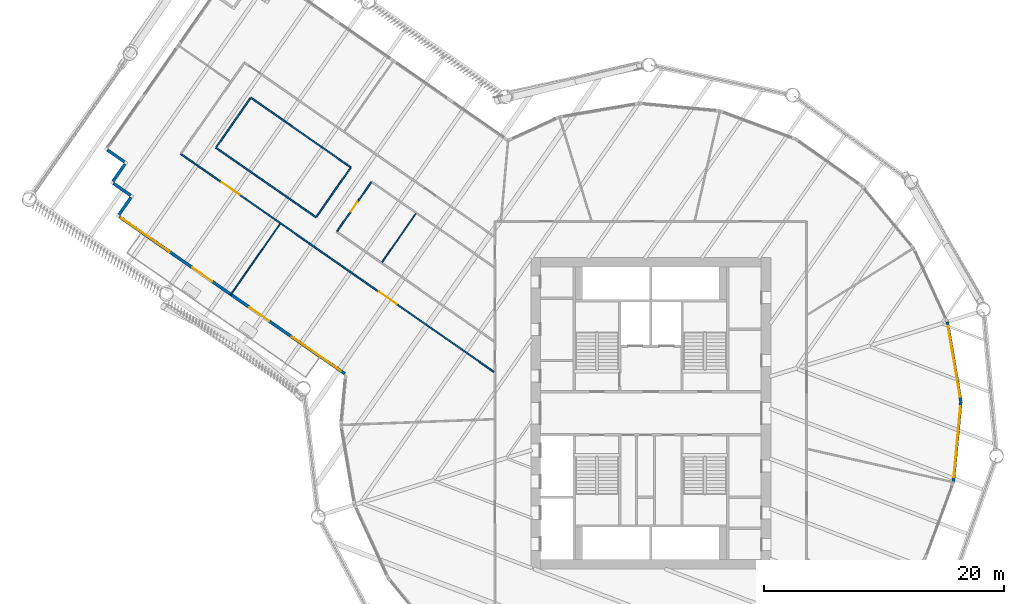
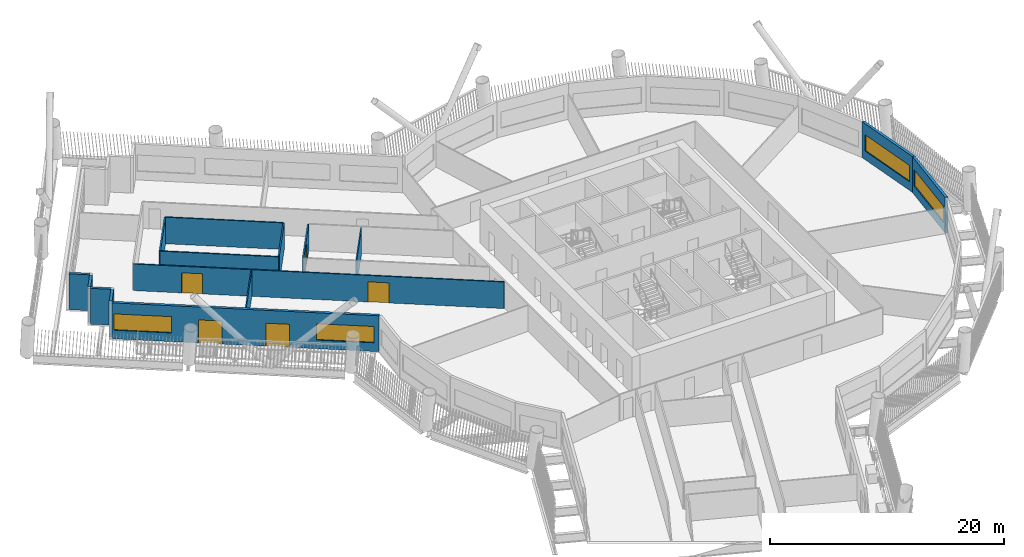
# One storey, part 6 of 23: 15 walls, 5 doors, 4 windows, 9 openings.
"""IFC4 building model written with IfcOpenShell, lengths in metres."""

from ifc_helpers import new_model, si_unit, direction, frame, frame_2d, origin, place, context, subcontext, project, spatial, rectangle, extrude, material, layer, layer_set, type_object, element, fill, save


model = new_model("IFC4")

# Units and contexts
model_context = context("Model", 3, precision=1e-05, world=origin(), true_north=direction((0.0, 1.0)))
body_context = subcontext(model_context, "Body", "Model", "MODEL_VIEW")
ifc_project = project(units=[si_unit("LENGTHUNIT", "METRE"), si_unit("AREAUNIT", "SQUARE_METRE"), si_unit("VOLUMEUNIT", "CUBIC_METRE"), si_unit("PLANEANGLEUNIT", "RADIAN"), si_unit("MASSUNIT", "GRAM", prefix="KILO")], contexts=[model_context])

# Site, building, storey
site_placement = place(None, origin())
site = spatial("IfcSite", under=ifc_project, at=site_placement, CompositionType="ELEMENT")
building_placement = place(site_placement, origin())
building = spatial("IfcBuilding", under=site, at=building_placement, Name="Tarsis Ring Headquarters", CompositionType="ELEMENT")
storey_placement = place(building_placement, frame((0.0, 0.0, 131.800048828125)))
storey = spatial("IfcBuildingStorey", under=building, at=storey_placement, Name="L30", CompositionType="ELEMENT", Elevation=131.800048828125)

# Walls
ifc_material_1 = material(Name="Gypsum board on steel studs", Category="steel")
ifc_layer_1 = layer(ifc_material_1, 0.10009765625)
ifc_layer_set_1 = layer_set([ifc_layer_1], Name="FL partition 100 unrated")
wall_type_1 = type_object("IfcWallType", Name="FL partition 100 unrated", PredefinedType="PARTITIONING", material=ifc_layer_set_1)
wall_1_placement = place(storey_placement, frame((-35.06884765625, 9.85009765625, 0.0), z_axis=(0.0, 0.0, 1.0), x_axis=(0.571280846267, 0.820754649507, 0.0)))
element("IfcWall", 1, at=wall_1_placement, inside=storey, type_object=wall_type_1, Name="Partition PW3", PredefinedType="PARTITIONING", context=body_context, shape_type="SweptSolid", body=[
    extrude(rectangle(XDim=7.23974609375, YDim=0.10009765625, at=frame_2d((3.619873046875, 0.0))), origin(), (0.0, 0.0, 1.0), 2.699951171875),
])
wall_2_placement = place(storey_placement, frame((-22.42236328125, 12.59765625, 0.0), z_axis=(0.0, 0.0, 1.0), x_axis=(0.571307728179, 0.820735937877, 0.0)))
element("IfcWall", 2, at=wall_2_placement, inside=storey, type_object=wall_type_1, Name="Partition PW3", PredefinedType="PARTITIONING", context=body_context, shape_type="SweptSolid", body=[
    extrude(rectangle(XDim=4.93994140625, YDim=0.10009765625, at=frame_2d((2.469970703125, 0.0))), origin(), (0.0, 0.0, 1.0), 2.699951171875),
])

# Wall, openings, doors
ifc_layer_2 = layer(ifc_material_1, 0.125)
ifc_layer_set_2 = layer_set([ifc_layer_2], Name="FL partition 125 EI 60 H2770")
wall_type_2 = type_object("IfcWallType", Name="FL partition 125 EI 60 H2770", PredefinedType="PARTITIONING", material=ifc_layer_set_2)
wall_3_placement = place(storey_placement, frame((-39.19873046875, 21.631103515625, 0.0), z_axis=(0.0, 0.0, 1.0), x_axis=(0.820750618412, -0.571286637667, 0.0)))
wall_3 = element("IfcWall", 3, at=wall_3_placement, inside=storey, type_object=wall_type_2, Name="Partition PW1", PredefinedType="PARTITIONING", context=body_context, shape_type="SweptSolid", body=[
    extrude(rectangle(XDim=31.810302734375, YDim=0.125, at=frame_2d((15.9052734375, 0.0))), origin(), (0.0, 0.0, 1.0), 2.77001953125),
])
opening_1_placement = place(wall_3_placement, frame((4.157958984375, 0.0, 0.0)))
opening_1 = element("IfcOpeningElement", 4, at=opening_1_placement, cuts=wall_3, Name="Opening D30.01", PredefinedType="OPENING", context=body_context, shape_type="SweptSolid", body=[
    extrude(rectangle(XDim=1.800048828125, YDim=2.10009765625, at=frame_2d((0.89990234375, 1.050048828125))), frame((0.0, 0.072509765625, 0.0), z_axis=(0.0, -1.0, 0.0), x_axis=(1.0, 0.0, 0.0)), (0.0, 0.0, 1.0), 0.14501953125),
])
opening_2_placement = place(wall_3_placement, frame((20.118408203125, 0.0, 0.0)))
opening_2 = element("IfcOpeningElement", 5, at=opening_2_placement, cuts=wall_3, Name="Opening D30.14", PredefinedType="OPENING", context=body_context, shape_type="SweptSolid", body=[
    extrude(rectangle(XDim=1.800048828125, YDim=2.10009765625, at=frame_2d((0.89990234375, 1.050048828125))), frame((0.0, 0.072509765625, 0.0), z_axis=(0.0, -1.0, 0.0), x_axis=(1.0, 0.0, 0.0)), (0.0, 0.0, 1.0), 0.14501953125),
])
ifc_material_2 = material(Name="Fire-rated timber door leaf in steel frame", Category="steel")
door_type_1 = type_object("IfcDoorType", Name="FL door FD60-1800", OperationType="DOUBLE_DOOR_SINGLE_SWING", PredefinedType="DOOR", material=ifc_material_2)
door_1_placement = place(opening_1_placement, origin())
door_1 = element("IfcDoor", 6, at=door_1_placement, inside=storey, type_object=door_type_1, Name="Door D30.01", OperationType="DOUBLE_DOOR_SINGLE_SWING", OverallHeight=2.10009765625, OverallWidth=1.800048828125, PredefinedType="DOOR", context=body_context, shape_type="SweptSolid", body=[
    extrude(rectangle(XDim=1.800048828125, YDim=2.10009765625, at=frame_2d((0.89990234375, 1.050048828125))), frame((0.0, 0.02490234375, 0.0), z_axis=(0.0, -1.0, 0.0), x_axis=(1.0, 0.0, 0.0)), (0.0, 0.0, 1.0), 0.050048828125),
])
fill(opening_1, door_1)
door_2_placement = place(opening_2_placement, origin())
door_2 = element("IfcDoor", 7, at=door_2_placement, inside=storey, type_object=door_type_1, Name="Door D30.14", OperationType="DOUBLE_DOOR_SINGLE_SWING", OverallHeight=2.10009765625, OverallWidth=1.800048828125, PredefinedType="DOOR", context=body_context, shape_type="SweptSolid", body=[
    extrude(rectangle(XDim=1.800048828125, YDim=2.10009765625, at=frame_2d((0.89990234375, 1.050048828125))), frame((0.0, 0.02490234375, 0.0), z_axis=(0.0, -1.0, 0.0), x_axis=(1.0, 0.0, 0.0)), (0.0, 0.0, 1.0), 0.050048828125),
])
fill(opening_2, door_2)

# Walls
wall_4_placement = place(storey_placement, frame((-33.373291015625, 26.324462890625, 0.0), z_axis=(0.0, 0.0, 1.0), x_axis=(0.820751195487, -0.571285808599, 0.0)))
element("IfcWall", 8, at=wall_4_placement, inside=storey, type_object=wall_type_2, Name="Partition PW1", PredefinedType="PARTITIONING", context=body_context, shape_type="SweptSolid", body=[
    extrude(rectangle(XDim=10.179931640625, YDim=0.125, at=frame_2d((5.08984375, 0.0))), origin(), (0.0, 0.0, 1.0), 2.77001953125),
])
wall_5_placement = place(storey_placement, frame((-36.275390625, 22.155029296875, 0.0), z_axis=(0.0, 0.0, 1.0), x_axis=(0.820743368166, -0.57129705374, 0.0)))
element("IfcWall", 9, at=wall_5_placement, inside=storey, type_object=wall_type_2, Name="Partition PW1", PredefinedType="PARTITIONING", context=body_context, shape_type="SweptSolid", body=[
    extrude(rectangle(XDim=10.1796875, YDim=0.125, at=frame_2d((5.08984375, 0.0))), origin(), (0.0, 0.0, 1.0), 2.77001953125),
])
wall_6_placement = place(storey_placement, frame((-27.885986328125, 16.388427734375, 0.0), z_axis=(0.0, 0.0, 1.0), x_axis=(0.571263488871, 0.820766730736, 0.0)))
element("IfcWall", 10, at=wall_6_placement, inside=storey, type_object=wall_type_2, Name="Partition PW1", PredefinedType="PARTITIONING", context=body_context, shape_type="SweptSolid", body=[
    extrude(rectangle(XDim=4.9599609375, YDim=0.125, at=frame_2d((2.47998046875, 0.0))), origin(), (0.0, 0.0, 1.0), 2.77001953125),
])

# Wall, opening, door
wall_7_placement = place(storey_placement, frame((-26.162353515625, 15.188720703125, 0.0), z_axis=(0.0, 0.0, 1.0), x_axis=(0.571263488871, 0.820766730736, 0.0)))
wall_7 = element("IfcWall", 11, at=wall_7_placement, inside=storey, type_object=wall_type_2, Name="Partition PW1", PredefinedType="PARTITIONING", context=body_context, shape_type="SweptSolid", body=[
    extrude(rectangle(XDim=4.9599609375, YDim=0.125, at=frame_2d((2.47998046875, 0.0))), origin(), (0.0, 0.0, 1.0), 2.77001953125),
])
opening_3_placement = place(wall_7_placement, frame((1.97998046875, 0.0, 0.0)))
opening_3 = element("IfcOpeningElement", 12, at=opening_3_placement, cuts=wall_7, Name="Opening D30.16", PredefinedType="OPENING", context=body_context, shape_type="SweptSolid", body=[
    extrude(rectangle(XDim=1.0, YDim=2.10009765625, at=frame_2d((0.5, 1.050048828125))), frame((0.0, 0.072509765625, 0.0), z_axis=(0.0, -1.0, 0.0), x_axis=(1.0, 0.0, 0.0)), (0.0, 0.0, 1.0), 0.14501953125),
])
door_type_2 = type_object("IfcDoorType", Name="FL door FD60-1000", OperationType="NOTDEFINED", PredefinedType="DOOR", material=ifc_material_2)
door_3_placement = place(opening_3_placement, origin())
door_3 = element("IfcDoor", 13, at=door_3_placement, inside=storey, type_object=door_type_2, Name="Door D30.16", OperationType="SINGLE_SWING_RIGHT", OverallHeight=2.10009765625, OverallWidth=1.0, PredefinedType="DOOR", context=body_context, shape_type="SweptSolid", body=[
    extrude(rectangle(XDim=1.0, YDim=2.10009765625, at=frame_2d((0.5, 1.050048828125))), frame((0.0, 0.02490234375, 0.0), z_axis=(0.0, -1.0, 0.0), x_axis=(1.0, 0.0, 0.0)), (0.0, 0.0, 1.0), 0.050048828125),
])
fill(opening_3, door_3)

# Wall
wall_8_placement = place(storey_placement, frame((-36.2412109375, 22.2041015625, 0.0), z_axis=(0.0, 0.0, 1.0), x_axis=(0.571263488871, 0.820766730736, 0.0)))
element("IfcWall", 14, at=wall_8_placement, inside=storey, type_object=wall_type_2, Name="Partition PW1", PredefinedType="PARTITIONING", context=body_context, shape_type="SweptSolid", body=[
    extrude(rectangle(XDim=4.9599609375, YDim=0.125, at=frame_2d((2.47998046875, 0.0))), origin(), (0.0, 0.0, 1.0), 2.77001953125),
])

# Wall, openings, doors, windows
ifc_material_3 = material(Name="Terracotta clad insulated panel wall", Category="masonry")
ifc_layer_3 = layer(ifc_material_3, 0.25)
ifc_layer_set_3 = layer_set([ifc_layer_3], Name="Facade wall terracotta panel 250")
wall_type_3 = type_object("IfcWallType", Name="Facade wall terracotta panel 250", PredefinedType="STANDARD", material=ifc_layer_set_3)
wall_9_placement = place(storey_placement, frame((-44.333251953125, 16.389892578125, 0.0), z_axis=(0.0, 0.0, 1.0), x_axis=(0.820751689887, -0.571285098307, 0.0)))
wall_9 = element("IfcWall", 15, at=wall_9_placement, inside=storey, type_object=wall_type_3, Name="External wall L30-01", PredefinedType="STANDARD", context=body_context, shape_type="SweptSolid", body=[
    extrude(rectangle(XDim=22.921875, YDim=0.25, at=frame_2d((11.4609375, 0.0))), origin(), (0.0, 0.0, 1.0), 3.739990234375),
])
opening_4_placement = place(wall_9_placement, frame((0.17138671875, 0.0, 0.89990234375)))
opening_4 = element("IfcOpeningElement", 16, at=opening_4_placement, cuts=wall_9, Name="Opening WN05", PredefinedType="OPENING", context=body_context, shape_type="SweptSolid", body=[
    extrude(rectangle(XDim=4.949951171875, YDim=1.699951171875, at=frame_2d((2.47509765625, 0.85009765625))), frame((0.0, 0.135009765625, 0.0), z_axis=(0.0, -1.0, 0.0), x_axis=(1.0, 0.0, 0.0)), (0.0, 0.0, 1.0), 0.27001953125),
])
opening_5_placement = place(wall_9_placement, frame((7.439453125, 0.0, 0.0)))
opening_5 = element("IfcOpeningElement", 17, at=opening_5_placement, cuts=wall_9, Name="Opening L30-BD01", PredefinedType="OPENING", context=body_context, shape_type="SweptSolid", body=[
    extrude(rectangle(XDim=2.0, YDim=2.39990234375, at=frame_2d((1.0, 1.199951171875))), frame((0.0, 0.135009765625, 0.0), z_axis=(0.0, -1.0, 0.0), x_axis=(1.0, 0.0, 0.0)), (0.0, 0.0, 1.0), 0.27001953125),
])
opening_6_placement = place(wall_9_placement, frame((13.232421875, 0.0, 0.0)))
opening_6 = element("IfcOpeningElement", 18, at=opening_6_placement, cuts=wall_9, Name="Opening L30-BD02", PredefinedType="OPENING", context=body_context, shape_type="SweptSolid", body=[
    extrude(rectangle(XDim=2.0, YDim=2.39990234375, at=frame_2d((1.0, 1.199951171875))), frame((0.0, 0.135009765625, 0.0), z_axis=(0.0, -1.0, 0.0), x_axis=(1.0, 0.0, 0.0)), (0.0, 0.0, 1.0), 0.27001953125),
])
opening_7_placement = place(wall_9_placement, frame((17.550537109375, 0.0, 0.89990234375)))
opening_7 = element("IfcOpeningElement", 19, at=opening_7_placement, cuts=wall_9, Name="Opening WN05", PredefinedType="OPENING", context=body_context, shape_type="SweptSolid", body=[
    extrude(rectangle(XDim=4.949951171875, YDim=1.699951171875, at=frame_2d((2.47509765625, 0.85009765625))), frame((0.0, 0.135009765625, 0.0), z_axis=(0.0, -1.0, 0.0), x_axis=(1.0, 0.0, 0.0)), (0.0, 0.0, 1.0), 0.27001953125),
])
ifc_material_4 = material(Name="Aluminium framed double glazing", Category="aluminium")
door_type_3 = type_object("IfcDoorType", Name="Balcony sliding door 2000 x 2400", OperationType="SLIDING_TO_LEFT", PredefinedType="DOOR", material=ifc_material_4)
door_4_placement = place(opening_5_placement, origin())
door_4 = element("IfcDoor", 20, at=door_4_placement, inside=storey, type_object=door_type_3, Name="Door L30-BD01", OperationType="SINGLE_SWING_LEFT", OverallHeight=2.39990234375, OverallWidth=2.0, PredefinedType="DOOR", context=body_context, shape_type="SweptSolid", body=[
    extrude(rectangle(XDim=2.0, YDim=2.39990234375, at=frame_2d((1.0, 1.199951171875))), frame((0.0, 0.02490234375, 0.0), z_axis=(0.0, -1.0, 0.0), x_axis=(1.0, 0.0, 0.0)), (0.0, 0.0, 1.0), 0.050048828125),
])
fill(opening_5, door_4)
door_5_placement = place(opening_6_placement, origin())
door_5 = element("IfcDoor", 21, at=door_5_placement, inside=storey, type_object=door_type_3, Name="Door L30-BD02", OperationType="SINGLE_SWING_LEFT", OverallHeight=2.39990234375, OverallWidth=2.0, PredefinedType="DOOR", context=body_context, shape_type="SweptSolid", body=[
    extrude(rectangle(XDim=2.0, YDim=2.39990234375, at=frame_2d((1.0, 1.199951171875))), frame((0.0, 0.02490234375, 0.0), z_axis=(0.0, -1.0, 0.0), x_axis=(1.0, 0.0, 0.0)), (0.0, 0.0, 1.0), 0.050048828125),
])
fill(opening_6, door_5)
window_type_1 = type_object("IfcWindowType", Name="Facade window 4950 x 1700", PartitioningType="SINGLE_PANEL", PredefinedType="WINDOW", material=ifc_material_4)
window_1_placement = place(opening_4_placement, origin())
window_1 = element("IfcWindow", 22, at=window_1_placement, inside=storey, type_object=window_type_1, Name="Window L30-01.1", OverallHeight=1.699951171875, OverallWidth=4.949951171875, PartitioningType="SINGLE_PANEL", PredefinedType="WINDOW", context=body_context, shape_type="SweptSolid", body=[
    extrude(rectangle(XDim=4.949951171875, YDim=1.699951171875, at=frame_2d((2.47509765625, 0.85009765625))), frame((0.0, 0.030029296875, 0.0), z_axis=(0.0, -1.0, 0.0), x_axis=(1.0, 0.0, 0.0)), (0.0, 0.0, 1.0), 0.06005859375),
])
fill(opening_4, window_1)
window_2_placement = place(opening_7_placement, origin())
window_2 = element("IfcWindow", 23, at=window_2_placement, inside=storey, type_object=window_type_1, Name="Window L30-01.4", OverallHeight=1.699951171875, OverallWidth=4.949951171875, PartitioningType="SINGLE_PANEL", PredefinedType="WINDOW", context=body_context, shape_type="SweptSolid", body=[
    extrude(rectangle(XDim=4.949951171875, YDim=1.699951171875, at=frame_2d((2.47509765625, 0.85009765625))), frame((0.0, 0.030029296875, 0.0), z_axis=(0.0, -1.0, 0.0), x_axis=(1.0, 0.0, 0.0)), (0.0, 0.0, 1.0), 0.06005859375),
])
fill(opening_7, window_2)

# Wall, opening, window
wall_10_placement = place(storey_placement, frame((25.228515625, -5.733642578125, 0.0), z_axis=(0.0, 0.0, 1.0), x_axis=(0.093057160642, 0.995660767959, 0.0)))
wall_10 = element("IfcWall", 24, at=wall_10_placement, inside=storey, type_object=wall_type_3, Name="External wall L30-22", PredefinedType="STANDARD", context=body_context, shape_type="SweptSolid", body=[
    extrude(rectangle(XDim=6.721435546875, YDim=0.25, at=frame_2d((3.36083984375, 0.0))), origin(), (0.0, 0.0, 1.0), 3.739990234375),
])
opening_8_placement = place(wall_10_placement, frame((0.3857421875, 0.0, 0.89990234375)))
opening_8 = element("IfcOpeningElement", 25, at=opening_8_placement, cuts=wall_10, Name="Opening WN07", PredefinedType="OPENING", context=body_context, shape_type="SweptSolid", body=[
    extrude(rectangle(XDim=5.949951171875, YDim=1.699951171875, at=frame_2d((2.97509765625, 0.85009765625))), frame((0.0, 0.135009765625, 0.0), z_axis=(0.0, -1.0, 0.0), x_axis=(1.0, 0.0, 0.0)), (0.0, 0.0, 1.0), 0.27001953125),
])
window_type_2 = type_object("IfcWindowType", Name="Facade window 5950 x 1700", PartitioningType="SINGLE_PANEL", PredefinedType="WINDOW", material=ifc_material_4)
window_3_placement = place(opening_8_placement, origin())
window_3 = element("IfcWindow", 26, at=window_3_placement, inside=storey, type_object=window_type_2, Name="Window L30-22.1", OverallHeight=1.699951171875, OverallWidth=5.949951171875, PartitioningType="SINGLE_PANEL", PredefinedType="WINDOW", context=body_context, shape_type="SweptSolid", body=[
    extrude(rectangle(XDim=5.949951171875, YDim=1.699951171875, at=frame_2d((2.97509765625, 0.85009765625))), frame((0.0, 0.030029296875, 0.0), z_axis=(0.0, -1.0, 0.0), x_axis=(1.0, 0.0, 0.0)), (0.0, 0.0, 1.0), 0.06005859375),
])
fill(opening_8, window_3)

wall_11_placement = place(storey_placement, frame((25.852783203125, 0.991455078125, 0.0), z_axis=(0.0, 0.0, 1.0), x_axis=(-0.167808360666, 0.985819635679, 0.0)))
wall_11 = element("IfcWall", 27, at=wall_11_placement, inside=storey, type_object=wall_type_3, Name="External wall L30-23", PredefinedType="STANDARD", context=body_context, shape_type="SweptSolid", body=[
    extrude(rectangle(XDim=6.721435546875, YDim=0.25, at=frame_2d((3.36083984375, 0.0))), origin(), (0.0, 0.0, 1.0), 3.739990234375),
])
opening_9_placement = place(wall_11_placement, frame((0.3857421875, 0.0, 0.89990234375)))
opening_9 = element("IfcOpeningElement", 28, at=opening_9_placement, cuts=wall_11, Name="Opening WN07", PredefinedType="OPENING", context=body_context, shape_type="SweptSolid", body=[
    extrude(rectangle(XDim=5.949951171875, YDim=1.699951171875, at=frame_2d((2.97509765625, 0.85009765625))), frame((0.0, 0.135009765625, 0.0), z_axis=(0.0, -1.0, 0.0), x_axis=(1.0, 0.0, 0.0)), (0.0, 0.0, 1.0), 0.27001953125),
])
window_4_placement = place(opening_9_placement, origin())
window_4 = element("IfcWindow", 29, at=window_4_placement, inside=storey, type_object=window_type_2, Name="Window L30-23.1", OverallHeight=1.699951171875, OverallWidth=5.949951171875, PartitioningType="SINGLE_PANEL", PredefinedType="WINDOW", context=body_context, shape_type="SweptSolid", body=[
    extrude(rectangle(XDim=5.949951171875, YDim=1.699951171875, at=frame_2d((2.97509765625, 0.85009765625))), frame((0.0, 0.030029296875, 0.0), z_axis=(0.0, -1.0, 0.0), x_axis=(1.0, 0.0, 0.0)), (0.0, 0.0, 1.0), 0.06005859375),
])
fill(opening_9, window_4)

# Walls
for number, where, z_axis, x_axis, name in (
    (30, (-45.331298828125, 21.9580078125, 0.0), (0.0, 0.0, 1.0), (0.820743087177, -0.571297457418, 0.0), "External wall L30-37"),
    (31, (-43.86376953125, 20.784423828125, 0.0), (0.0, 0.0, 1.0), (-0.571297457418, -0.820743087177, 0.0), "External wall L30-38"),
    (32, (-44.832275390625, 19.174072265625, 0.0), (0.0, 0.0, 1.0), (0.820743087177, -0.571297457418, 0.0), "External wall L30-39"),
    (33, (-43.36474609375, 18.000244140625, 0.0), (0.0, 0.0, 1.0), (-0.571297457418, -0.820743087177, 0.0), "External wall L30-40"),
):
    element("IfcWall", number, at=place(storey_placement, frame(where, z_axis=z_axis, x_axis=x_axis)), inside=storey, type_object=wall_type_3, Name=name, PredefinedType="STANDARD", context=body_context, shape_type="SweptSolid", body=[
        extrude(rectangle(XDim=1.75, YDim=0.25, at=frame_2d((0.875, 0.0))), origin(), (0.0, 0.0, 1.0), 3.739990234375),
    ])

save(model, "model.ifc")
